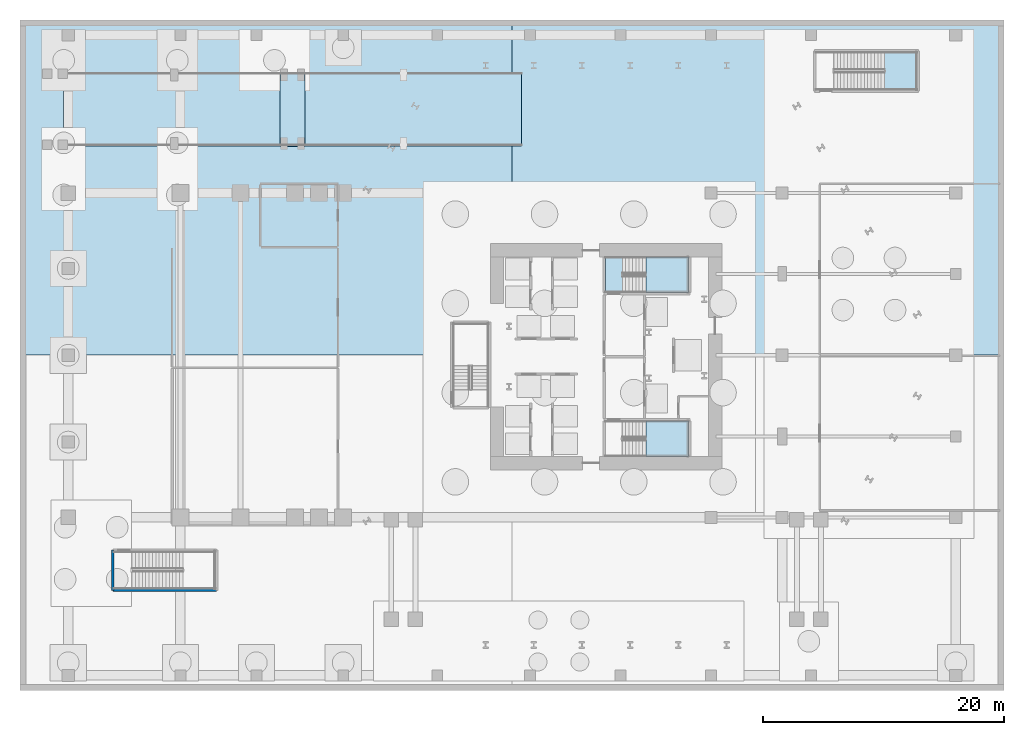
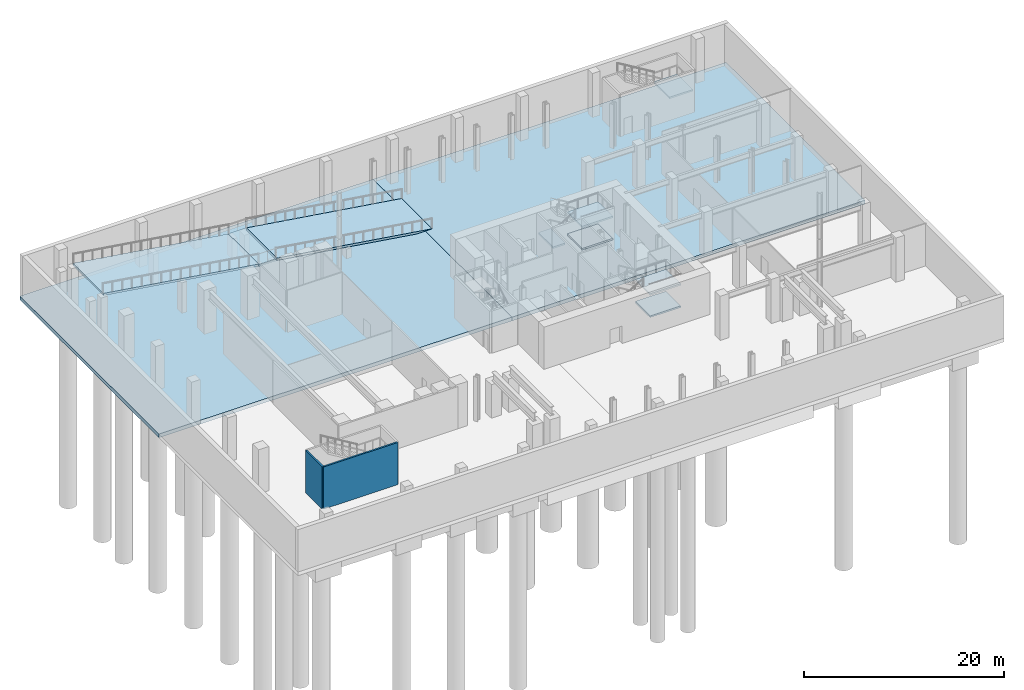
# One storey, part 3 of 16: 11 slabs, 2 walls, 3 elements without a shape of their own.
"""IFC4 building model written with IfcOpenShell, lengths in metres."""

from ifc_helpers import new_model, si_unit, direction, frame, frame_2d, origin, place, context, subcontext, project, spatial, polyline, rectangle, outline, extrude, polygons, material, layer, layer_set, type_object, element, aggregate, save


model = new_model("IFC4")

# Units and contexts
model_context = context("Model", 3, precision=1e-05, world=origin(), true_north=direction((0.0, 1.0)))
body_context = subcontext(model_context, "Body", "Model", "MODEL_VIEW")
ifc_project = project(units=[si_unit("LENGTHUNIT", "METRE"), si_unit("AREAUNIT", "SQUARE_METRE"), si_unit("VOLUMEUNIT", "CUBIC_METRE"), si_unit("PLANEANGLEUNIT", "RADIAN"), si_unit("MASSUNIT", "GRAM", prefix="KILO")], contexts=[model_context])

# Site, building, storey
site_placement = place(None, origin())
site = spatial("IfcSite", under=ifc_project, at=site_placement, CompositionType="ELEMENT")
building_placement = place(site_placement, origin())
building = spatial("IfcBuilding", under=site, at=building_placement, Name="Valkerne Bourse Tower", CompositionType="ELEMENT")
storey_placement = place(building_placement, frame((0.0, 0.0, -5.39990234375)))
storey = spatial("IfcBuildingStorey", under=building, at=storey_placement, Name="B1", CompositionType="ELEMENT", Elevation=-5.39990234375)

# Slabs
ifc_material = material(Name="Concrete C40/50", Category="concrete")
ifc_layer_1 = layer(ifc_material, 0.449951171875)
ifc_layer_set_1 = layer_set([ifc_layer_1], Name="Concrete C40/50")
slab_type_1 = type_object("IfcSlabType", Name="SLB-BASE-450", PredefinedType="BASESLAB", material=ifc_layer_set_1)
slab_1_placement = place(storey_placement, frame((0.0, 0.0, -0.4501953125)))
element("IfcSlab", 1, at=slab_1_placement, inside=storey, type_object=slab_type_1, Name="B1 Continuous Structural Base Slab NW", PredefinedType="BASESLAB", context=body_context, shape_type="SweptSolid", body=[
    extrude(outline(polyline([(39.0, 27.0), (-1.800048828125, 27.0), (-1.800048828125, 54.800048828125), (39.0, 54.800048828125), (39.0, 50.4599609375), (37.919921875, 50.4599609375), (37.919921875, 44.340087890625), (39.0, 44.340087890625), (39.0, 27.0)])), origin(), (0.0, 0.0, 1.0), 0.4501953125),
])
slab_2_placement = place(storey_placement, frame((0.0, 0.0, -0.4501953125)))
element("IfcSlab", 2, at=slab_2_placement, inside=storey, type_object=slab_type_1, Name="B1 Continuous Structural Base Slab NE", PredefinedType="BASESLAB", context=body_context, shape_type="SweptSolid", body=[
    extrude(outline(polyline([(39.0, 54.800048828125), (79.800048828125, 54.800048828125), (79.800048828125, 27.0), (39.0, 27.0), (39.0, 44.340087890625), (39.800048828125, 44.340087890625), (39.800048828125, 50.4599609375), (39.0, 50.4599609375), (39.0, 54.800048828125)])), origin(), (0.0, 0.0, 1.0), 0.4501953125),
])
ifc_layer_2 = layer(ifc_material, 0.25)
ifc_layer_set_2 = layer_set([ifc_layer_2], Name="Concrete C40/50")
slab_type_2 = type_object("IfcSlabType", Name="SLB-RMP-LND-250", PredefinedType="LANDING", material=ifc_layer_set_2)
slab_3_placement = place(storey_placement, frame((0.0, 0.0, 2.419921875)))
element("IfcSlab", 3, at=slab_3_placement, inside=storey, type_object=slab_type_2, Name="B1 Two-Way Car Park Vehicle Ramp Mid-Landing Slab", PredefinedType="LANDING", context=body_context, shape_type="SweptSolid", body=[
    extrude(outline(polyline([(19.75, 44.300048828125), (21.85009765625, 44.300048828125), (21.85009765625, 50.5), (19.75, 50.5), (19.75, 44.300048828125)])), origin(), (0.0, 0.0, 1.0), 0.280029296875),
])

# Stair, slabs
stair_type_1 = type_object("IfcStairType", Name="ST-CORE-1400", PredefinedType="HALF_TURN_STAIR", material=ifc_material)
stair_1_placement = place(storey_placement, origin())
stair_1 = element("IfcStair", 4, at=stair_1_placement, inside=storey, type_object=stair_type_1, Name="B1 ST-1", PredefinedType="HALF_TURN_STAIR")
ifc_layer_3 = layer(ifc_material, 0.179931640625)
ifc_layer_set_3 = layer_set([ifc_layer_3], Name="Concrete C40/50")
slab_type_3 = type_object("IfcSlabType", Name="SLB-ST-LND-180", PredefinedType="LANDING", material=ifc_layer_set_3)
slab_4_placement = place(storey_placement, frame((0.0, 0.0, 1.14990234375)))
slab_4 = element("IfcSlab", 5, at=slab_4_placement, type_object=slab_type_3, Name="ST-1 landing 1", PredefinedType="LANDING", context=body_context, shape_type="SweptSolid", body=[
    extrude(outline(polyline([(50.110107421875, 18.60009765625), (53.64990234375, 18.60009765625), (53.64990234375, 21.550048828125), (50.110107421875, 21.550048828125), (50.110107421875, 18.60009765625)])), origin(), (0.0, 0.0, 1.0), 0.199951171875),
])
slab_5_placement = place(storey_placement, frame((0.0, 0.0, 3.849853515625)))
slab_5 = element("IfcSlab", 6, at=slab_5_placement, type_object=slab_type_3, Name="ST-1 landing 3", PredefinedType="LANDING", context=body_context, shape_type="SweptSolid", body=[
    extrude(outline(polyline([(50.110107421875, 18.60009765625), (53.64990234375, 18.60009765625), (53.64990234375, 21.550048828125), (50.110107421875, 21.550048828125), (50.110107421875, 18.60009765625)])), origin(), (0.0, 0.0, 1.0), 0.199951171875),
])
aggregate(stair_1, [slab_4, slab_5])

stair_2_placement = place(storey_placement, origin())
stair_2 = element("IfcStair", 7, at=stair_2_placement, inside=storey, type_object=stair_type_1, Name="B1 ST-2", PredefinedType="HALF_TURN_STAIR")
slab_6_placement = place(storey_placement, frame((0.0, 0.0, 1.14990234375)))
slab_6 = element("IfcSlab", 8, at=slab_6_placement, type_object=slab_type_3, Name="ST-2 landing 1", PredefinedType="LANDING", context=body_context, shape_type="SweptSolid", body=[
    extrude(outline(polyline([(50.110107421875, 32.199951171875), (53.64990234375, 32.199951171875), (53.64990234375, 35.14990234375), (50.110107421875, 35.14990234375), (50.110107421875, 32.199951171875)])), origin(), (0.0, 0.0, 1.0), 0.199951171875),
])
slab_7_placement = place(storey_placement, frame((0.0, 0.0, 2.5)))
slab_7 = element("IfcSlab", 9, at=slab_7_placement, type_object=slab_type_3, Name="ST-2 landing 2", PredefinedType="LANDING", context=body_context, shape_type="SweptSolid", body=[
    extrude(outline(polyline([(46.75, 32.199951171875), (48.14990234375, 32.199951171875), (48.14990234375, 35.14990234375), (46.75, 35.14990234375), (46.75, 32.199951171875)])), origin(), (0.0, 0.0, 1.0), 0.199951171875),
])
slab_8_placement = place(storey_placement, frame((0.0, 0.0, 3.849853515625)))
slab_8 = element("IfcSlab", 10, at=slab_8_placement, type_object=slab_type_3, Name="ST-2 landing 3", PredefinedType="LANDING", context=body_context, shape_type="SweptSolid", body=[
    extrude(outline(polyline([(50.110107421875, 32.199951171875), (53.64990234375, 32.199951171875), (53.64990234375, 35.14990234375), (50.110107421875, 35.14990234375), (50.110107421875, 32.199951171875)])), origin(), (0.0, 0.0, 1.0), 0.199951171875),
])
aggregate(stair_2, [slab_6, slab_7, slab_8])

# Stair, slab
stair_type_2 = type_object("IfcStairType", Name="ST-POD-1500", PredefinedType="HALF_TURN_STAIR", material=ifc_material)
stair_3_placement = place(storey_placement, origin())
stair_3 = element("IfcStair", 11, at=stair_3_placement, inside=storey, type_object=stair_type_2, Name="B1 ST-P2", PredefinedType="HALF_TURN_STAIR")
slab_9_placement = place(storey_placement, frame((0.0, 0.0, 2.5)))
slab_9 = element("IfcSlab", 12, at=slab_9_placement, type_object=slab_type_3, Name="ST-P2 landing 1", PredefinedType="LANDING", context=body_context, shape_type="SweptSolid", body=[
    extrude(outline(polyline([(69.89990234375, 49.0), (72.60009765625, 49.0), (72.60009765625, 52.14990234375), (69.89990234375, 52.14990234375), (69.89990234375, 49.0)])), origin(), (0.0, 0.0, 1.0), 0.199951171875),
])
aggregate(stair_3, [slab_9])

# Slabs
ifc_layer_4 = layer(ifc_material, 0.280029296875)
ifc_layer_set_4 = layer_set([ifc_layer_4], Name="Concrete C40/50")
slab_type_4 = type_object("IfcSlabType", Name="SLB-VEH-RAMP-280", PredefinedType="FLOOR", material=ifc_layer_set_4)
slab_10_placement = place(storey_placement, origin())
element("IfcSlab", 13, at=slab_10_placement, inside=storey, type_object=slab_type_4, Name="B1 Two-Way Car Park Vehicle Ramp Structural Slab F1", PredefinedType="FLOOR", context=body_context, shape_type="Tessellation", body=[
    polygons([(21.85009765625, 44.35009765625, 2.6923828125), (21.85009765625, 44.35009765625, 2.4091796875), (39.800048828125, 44.35009765625, 0.0), (39.800048828125, 44.35009765625, -0.283203125), (39.800048828125, 50.449951171875, 0.0), (39.800048828125, 50.449951171875, -0.283203125), (21.85009765625, 50.449951171875, 2.6923828125), (21.85009765625, 50.449951171875, 2.4091796875)], [[[1, 5, 7]], [[2, 8, 6]], [[5, 1, 3]], [[6, 4, 2]], [[1, 2, 4, 3]], [[3, 4, 6, 5]], [[5, 6, 8, 7]], [[7, 8, 2, 1]]], closed=True),
])
slab_11_placement = place(storey_placement, origin())
element("IfcSlab", 14, at=slab_11_placement, inside=storey, type_object=slab_type_4, Name="B1 Two-Way Car Park Vehicle Ramp Structural Slab F2", PredefinedType="FLOOR", context=body_context, shape_type="Tessellation", body=[
    polygons([(1.800048828125, 44.35009765625, 5.39990234375), (1.800048828125, 44.35009765625, 5.11669921875), (19.75, 44.35009765625, 2.70751953125), (19.75, 44.35009765625, 2.42431640625), (19.75, 50.449951171875, 2.70751953125), (19.75, 50.449951171875, 2.42431640625), (1.800048828125, 50.449951171875, 5.39990234375), (1.800048828125, 50.449951171875, 5.11669921875)], [[[1, 5, 7]], [[2, 8, 6]], [[5, 1, 3]], [[6, 4, 2]], [[1, 2, 4, 3]], [[3, 4, 6, 5]], [[5, 6, 8, 7]], [[7, 8, 2, 1]]], closed=True),
])

# Walls
ifc_layer_5 = layer(ifc_material, 0.199951171875)
ifc_layer_set_5 = layer_set([ifc_layer_5], Name="Concrete C40/50")
wall_type = type_object("IfcWallType", Name="W-SHF-200", PredefinedType="SHEAR", material=ifc_layer_set_5)
wall_1_placement = place(storey_placement, frame((5.89990234375, 7.5, 0.0), z_axis=(0.0, 0.0, 1.0), x_axis=(1.0, 0.0, 0.0)))
element("IfcWall", 15, at=wall_1_placement, inside=storey, type_object=wall_type, Name="B1 Exit Stair ST-P1 Structural South Wall", PredefinedType="SHEAR", context=body_context, shape_type="SweptSolid", body=[
    extrude(rectangle(XDim=8.60009765625, YDim=0.199951171875, at=frame_2d((4.300048828125, 0.0))), origin(), (0.0, 0.0, 1.0), 5.159912109375),
])
wall_2_placement = place(storey_placement, frame((5.89990234375, 7.5, 0.0), z_axis=(0.0, 0.0, 1.0), x_axis=(0.0, 1.0, 0.0)))
element("IfcWall", 16, at=wall_2_placement, inside=storey, type_object=wall_type, Name="B1 Exit Stair ST-P1 Structural West Wall", PredefinedType="SHEAR", context=body_context, shape_type="SweptSolid", body=[
    extrude(rectangle(XDim=3.35009765625, YDim=0.199951171875, at=frame_2d((1.675048828125, 0.0))), origin(), (0.0, 0.0, 1.0), 5.159912109375),
])

save(model, "model.ifc")
